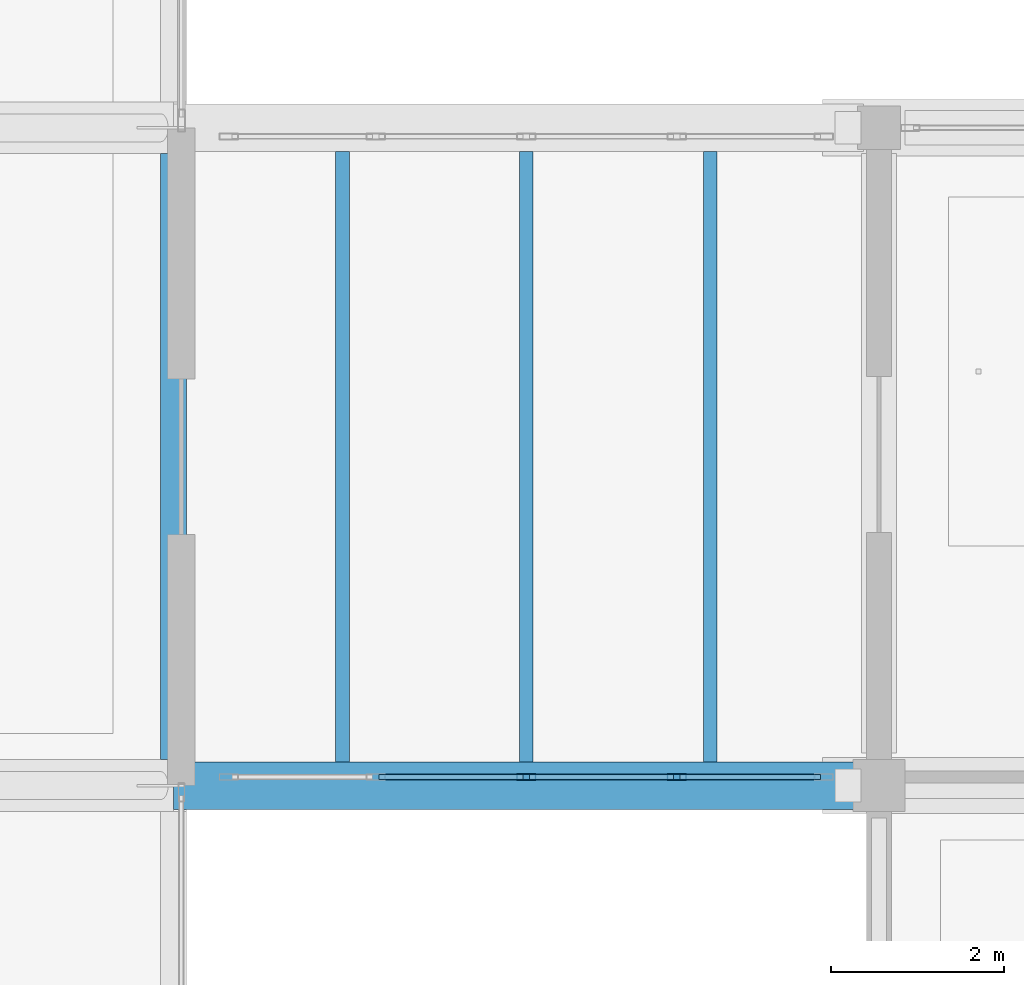
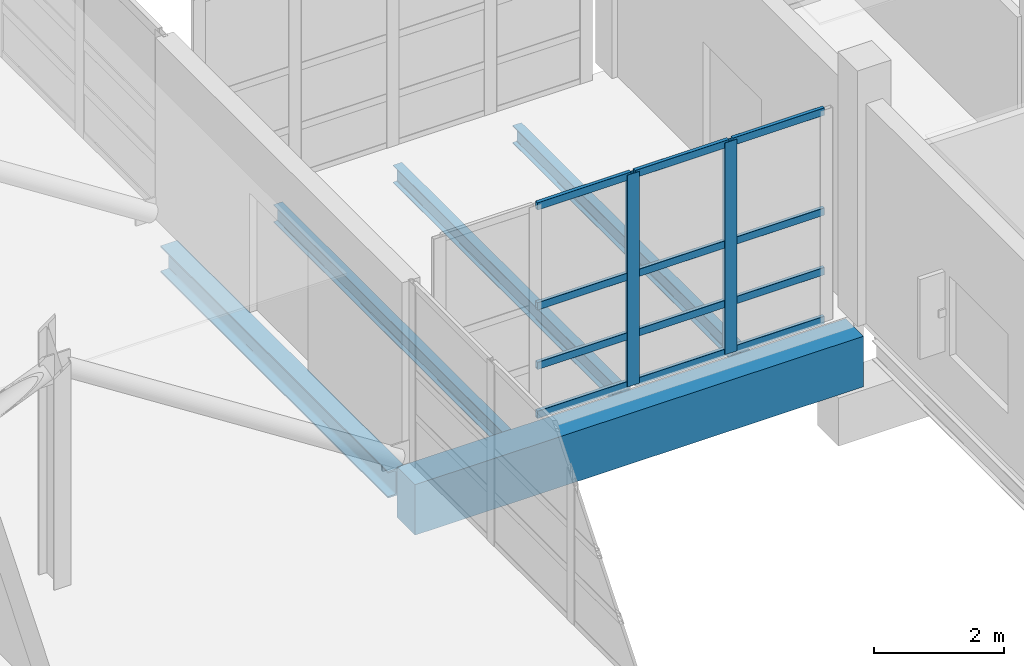
# One storey, part 14 of 141: 14 members, 5 beams, 1 element without a shape of its own.
"""IFC4 building model written with IfcOpenShell, lengths in metres."""

import ifcopenshell
import ifcopenshell.guid

model = None  # the IFC model being written
_history = None  # IfcOwnerHistory: only IFC2X3 demands one
_inside = {}  # id of a spatial element -> (the spatial element, [elements in it])
_under = {}  # id of a project, library or spatial element -> (it, [spatial elements below it])
_declared = {}  # id of a project -> (the project, [libraries it declares])
_typed = {}  # id of a type object -> (the type object, [elements of that type])
_made_of = {}  # id of a material, layer set ... -> (it, [elements and type objects made of it])


def new_model(schema):
    """Start an empty IFC model of exactly this schema.

    Asked for "IFC4X3", IfcOpenShell would pick the latest addendum, in which some entities
    have other attributes; the version numbers below select the first issue.
    IFC2X3 requires an IfcOwnerHistory on every rooted entity: one is made here for all.
    """
    global model, _history
    if schema == "IFC4X3":
        model = ifcopenshell.file(schema_version=(4, 3, 0, 0))
    else:
        model = ifcopenshell.file(schema=schema)
    _inside.clear()
    _under.clear()
    _declared.clear()
    _typed.clear()
    _made_of.clear()
    _history = None
    if model.schema == "IFC2X3":
        org = make("IfcOrganization", Name="unknown")
        user = make(
            "IfcPersonAndOrganization",
            ThePerson=make("IfcPerson", FamilyName="unknown"),
            TheOrganization=org,
        )
        app = make(
            "IfcApplication",
            ApplicationDeveloper=org,
            Version="unknown",
            ApplicationFullName="unknown",
            ApplicationIdentifier="unknown",
        )
        _history = make(
            "IfcOwnerHistory",
            OwningUser=user,
            OwningApplication=app,
            ChangeAction="ADDED",
            CreationDate=0,
        )
    return model


def make(cls, **values):
    """One entity of the class cls with the attributes given. An attribute that is None is left unset."""
    return model.create_entity(
        cls, **{name: value for name, value in values.items() if value is not None}
    )


def rooted(cls, **values):
    """An entity with a GlobalId (a new one), such as an element, a storey or a relation."""
    return make(cls, GlobalId=ifcopenshell.guid.new(), OwnerHistory=_history, **values)


def si_unit(unit_type, name, prefix=None):
    """IfcSIUnit, for example si_unit("LENGTHUNIT", "METRE", prefix="MILLI")."""
    return make("IfcSIUnit", UnitType=unit_type, Prefix=prefix, Name=name)


def assignment(units):
    """IfcUnitAssignment: the units of a project."""
    return None if units is None else make("IfcUnitAssignment", Units=units)


def point(xyz):
    """IfcCartesianPoint."""
    return None if xyz is None else make("IfcCartesianPoint", Coordinates=xyz)


def direction(xyz):
    """IfcDirection."""
    return None if xyz is None else make("IfcDirection", DirectionRatios=xyz)


def frame(location, z_axis=None, x_axis=None):
    """IfcAxis2Placement3D, a coordinate frame: its origin and axes. An axis left out is left unset."""
    return make(
        "IfcAxis2Placement3D",
        Location=point(location),
        Axis=direction(z_axis),
        RefDirection=direction(x_axis),
    )


def frame_2d(location, x_axis=None):
    """IfcAxis2Placement2D, a coordinate frame in the plane: its origin and x axis."""
    return make(
        "IfcAxis2Placement2D", Location=point(location), RefDirection=direction(x_axis)
    )


def origin():
    """The frame at (0, 0, 0) with its axes left unset."""
    return frame((0.0, 0.0, 0.0))


def origin_2d():
    """The frame at (0, 0) in the plane with its x axis left unset."""
    return frame_2d((0.0, 0.0))


def place(relative_to, where):
    """IfcLocalPlacement: puts the frame where relative to a parent placement (None: the world)."""
    return make(
        "IfcLocalPlacement", PlacementRelTo=relative_to, RelativePlacement=where
    )


def context(
    kind, dimensions, precision=None, world=None, true_north=None, identifier=None
):
    """IfcGeometricRepresentationContext, for example the 3D "Model" context."""
    return make(
        "IfcGeometricRepresentationContext",
        ContextIdentifier=identifier,
        ContextType=kind,
        CoordinateSpaceDimension=dimensions,
        Precision=precision,
        WorldCoordinateSystem=world,
        TrueNorth=true_north,
    )


def subcontext(parent, identifier, kind, view, scale=None):
    """IfcGeometricRepresentationSubContext, for example "Body" below "Model"."""
    return make(
        "IfcGeometricRepresentationSubContext",
        ContextIdentifier=identifier,
        ContextType=kind,
        ParentContext=parent,
        TargetScale=scale,
        TargetView=view,
    )


def project(units=None, contexts=None):
    """IfcProject with its units and contexts."""
    return rooted(
        "IfcProject",
        Name="project",
        RepresentationContexts=contexts,
        UnitsInContext=assignment(units),
    )


def spatial(cls, under=None, at=None, **own):
    """A site, building, storey or space (cls), placed at a placement, below another one or the project."""
    s = rooted(cls, ObjectPlacement=at, **own)
    if under is not None:
        _under.setdefault(under.id(), (under, []))[1].append(s)
    return s


def profile(cls, at=None, kind="AREA", **sizes):
    """A parametric profile (cls). Its sizes go by their IFC names, for example OverallWidth=200.0."""
    return make(cls, ProfileType=kind, Position=at, **sizes)


def rectangle(**sizes):
    """IfcRectangleProfileDef."""
    return profile("IfcRectangleProfileDef", **sizes)


def hollow_rectangle(**sizes):
    """IfcRectangleHollowProfileDef."""
    return profile("IfcRectangleHollowProfileDef", **sizes)


def i_section(**sizes):
    """IfcIShapeProfileDef."""
    return profile("IfcIShapeProfileDef", **sizes)


def extrude(swept, where, along, depth):
    """IfcExtrudedAreaSolid: the profile swept, set in the frame where, extruded along a direction by depth."""
    return make(
        "IfcExtrudedAreaSolid",
        SweptArea=swept,
        Position=where,
        ExtrudedDirection=direction(along),
        Depth=depth,
    )


def shape(context_of_items, identifier, shape_type, items):
    """IfcShapeRepresentation: the items that make up one representation, for example the "Body"."""
    return make(
        "IfcShapeRepresentation",
        ContextOfItems=context_of_items,
        RepresentationIdentifier=identifier,
        RepresentationType=shape_type,
        Items=items,
    )


def material(Name=None, Category=None):
    """IfcMaterial."""
    return make("IfcMaterial", Name=Name, Category=Category)


def material_profile(
    of_material, cross_section, Name=None, Category=None, Priority=None
):
    """IfcMaterialProfile: a cross section and its material."""
    return make(
        "IfcMaterialProfile",
        Name=Name,
        Material=of_material,
        Profile=cross_section,
        Priority=Priority,
        Category=Category,
    )


def profile_set(profiles, Name=None, composite=None):
    """IfcMaterialProfileSet."""
    return make(
        "IfcMaterialProfileSet",
        Name=Name,
        MaterialProfiles=profiles,
        CompositeProfile=composite,
    )


def made_of(thing, what):
    """Note that an element or type object is made of a material, layer set ...; save() writes the relation."""
    if what is not None:
        _made_of.setdefault(what.id(), (what, []))[1].append(thing)
    return thing


def type_object(cls, material=None, **own):
    """A type object (cls), such as IfcWallType, which elements share."""
    return made_of(rooted(cls, **own), material)


def element(
    cls,
    number,
    at=None,
    inside=None,
    cuts=None,
    type_object=None,
    material=None,
    context=None,
    identifier="Body",
    shape_type=None,
    held_by="IfcProductDefinitionShape",
    body=None,
    shapes=None,
    **own,
):
    """One element of the class cls, such as IfcWall. Its Tag is "e" and its number.

    at: its placement. inside: the storey or other place that contains it. cuts: it is an
    opening in that element (IfcRelVoidsElement). A single representation is given by context,
    identifier, shape_type and body (its items); several are given by shapes. held_by: the class
    of the entity that holds the representations. save() writes the other relations.
    """
    e = rooted(cls, Tag="e%d" % number, ObjectPlacement=at, **own)
    if body is not None:
        shapes = [shape(context, identifier, shape_type, body)]
    if shapes is not None:
        e.Representation = make(held_by, Representations=shapes)
    if inside is not None:
        _inside.setdefault(inside.id(), (inside, []))[1].append(e)
    if cuts is not None:
        rooted(
            "IfcRelVoidsElement", RelatingBuildingElement=cuts, RelatedOpeningElement=e
        )
    if type_object is not None:
        _typed.setdefault(type_object.id(), (type_object, []))[1].append(e)
    return made_of(e, material)


def aggregate(whole, parts):
    """IfcRelAggregates: a whole, such as a stair, and the parts it consists of."""
    return rooted("IfcRelAggregates", RelatingObject=whole, RelatedObjects=parts)


def save(model, path):
    """Write the relations noted so far, then the file.

    IfcRelAggregates (storeys below a building ...), IfcRelContainedInSpatialStructure (elements
    in a storey), IfcRelDefinesByType, IfcRelAssociatesMaterial and IfcRelDeclares: one each for
    every whole, place, type object, material and project.
    """
    for whole, parts in _under.values():
        aggregate(whole, parts)
    for where, things in _inside.values():
        rooted(
            "IfcRelContainedInSpatialStructure",
            RelatedElements=things,
            RelatingStructure=where,
        )
    for kind, things in _typed.values():
        rooted("IfcRelDefinesByType", RelatedObjects=things, RelatingType=kind)
    for what, things in _made_of.values():
        rooted("IfcRelAssociatesMaterial", RelatedObjects=things, RelatingMaterial=what)
    for by, libraries in _declared.values():
        rooted("IfcRelDeclares", RelatingContext=by, RelatedDefinitions=libraries)
    model.write(path)


model = new_model("IFC4")

# Units and contexts
model_context = context("Model", 3, precision=1e-05, world=origin(), true_north=direction((0.0, 1.0)))
body_context = subcontext(model_context, "Body", "Model", "MODEL_VIEW")
ifc_project = project(units=[si_unit("LENGTHUNIT", "METRE"), si_unit("AREAUNIT", "SQUARE_METRE"), si_unit("VOLUMEUNIT", "CUBIC_METRE"), si_unit("PLANEANGLEUNIT", "RADIAN"), si_unit("MASSUNIT", "GRAM", prefix="KILO")], contexts=[model_context])

# Site, building, storey
site_placement = place(None, origin())
site = spatial("IfcSite", under=ifc_project, at=site_placement, CompositionType="ELEMENT")
building_placement = place(site_placement, origin())
building = spatial("IfcBuilding", under=site, at=building_placement, Name="Khelvaren Railside Concert Hall", CompositionType="ELEMENT")
storey_placement = place(building_placement, frame((0.0, 0.0, 10.199951171875)))
storey = spatial("IfcBuildingStorey", under=building, at=storey_placement, Name="L02", CompositionType="ELEMENT", Elevation=10.199951171875)

# Curtain wall, members
ifc_material_1 = material(Name="Double-glazed clear foyer glass", Category="glass")
curtain_wall_type = type_object("IfcCurtainWallType", Name="CW47", PredefinedType="USERDEFINED", material=ifc_material_1)
curtain_wall_placement = place(storey_placement, origin())
curtain_wall = element("IfcCurtainWall", 1, at=curtain_wall_placement, inside=storey, type_object=curtain_wall_type, Name="Unitised Curtain Wall CW-LB1-L02-S", ObjectType="UNITISED CURTAIN WALL", PredefinedType="USERDEFINED")
ifc_material_2 = material(Name="Anodised architectural aluminium 6063-T6", Category="aluminium")
ifc_material_profile_1 = material_profile(ifc_material_2, hollow_rectangle(XDim=0.074951171875, YDim=0.219970703125, WallThickness=0.0048828125, InnerFilletRadius=0.0029296875, OuterFilletRadius=0.0048828125, at=origin_2d()), Name="CWM 75x220x5")
ifc_profile_set_1 = profile_set([ifc_material_profile_1], Name="Anodised architectural aluminium 6063-T6")
member_type_1 = type_object("IfcMemberType", Name="CWM13", PredefinedType="MULLION", material=ifc_profile_set_1)
member_1_placement = place(storey_placement, frame((61.66259765625, 7.699951171875, 0.0), z_axis=(0.0, 0.0, 1.0), x_axis=(0.0, -1.0, 0.0)))
member_1 = element("IfcMember", 2, at=member_1_placement, type_object=member_type_1, Name="CW47 mullion 2", PredefinedType="MULLION", context=body_context, shape_type="SweptSolid", body=[
    extrude(hollow_rectangle(XDim=0.074951171875, YDim=0.219970703125, WallThickness=0.0048828125, InnerFilletRadius=0.0029296875, OuterFilletRadius=0.0048828125, at=origin_2d()), origin(), (0.0, 0.0, 1.0), 3.97998046875),
])
member_2_placement = place(storey_placement, frame((59.925048828125, 7.699951171875, 0.0), z_axis=(0.0, 0.0, 1.0), x_axis=(0.0, -1.0, 0.0)))
member_2 = element("IfcMember", 3, at=member_2_placement, type_object=member_type_1, Name="CW47 mullion 3", PredefinedType="MULLION", context=body_context, shape_type="SweptSolid", body=[
    extrude(hollow_rectangle(XDim=0.074951171875, YDim=0.219970703125, WallThickness=0.0048828125, InnerFilletRadius=0.0029296875, OuterFilletRadius=0.0048828125, at=origin_2d()), origin(), (0.0, 0.0, 1.0), 3.97998046875),
])
ifc_material_profile_2 = material_profile(ifc_material_2, hollow_rectangle(XDim=0.06494140625, YDim=0.139892578125, WallThickness=0.00390625, InnerFilletRadius=0.001953125, OuterFilletRadius=0.00390625, at=origin_2d()), Name="CWT 65x140x4")
ifc_profile_set_2 = profile_set([ifc_material_profile_2], Name="Anodised architectural aluminium 6063-T6")
member_type_2 = type_object("IfcMemberType", Name="CWT72", PredefinedType="USERDEFINED", material=ifc_profile_set_2)
member_3_placement = place(storey_placement, frame((63.324951171875, 7.699951171875, 0.032470703125), z_axis=(-1.0, 0.0, 0.0), x_axis=(0.0, -1.0, 0.0)))
member_3 = element("IfcMember", 4, at=member_3_placement, type_object=member_type_2, Name="CW47 transom 1.1", ObjectType="TRANSOM", PredefinedType="USERDEFINED", context=body_context, shape_type="SweptSolid", body=[
    extrude(hollow_rectangle(XDim=0.06494140625, YDim=0.139892578125, WallThickness=0.00390625, InnerFilletRadius=0.001953125, OuterFilletRadius=0.00390625, at=origin_2d()), origin(), (0.0, 0.0, 1.0), 1.625),
])
member_4_placement = place(storey_placement, frame((63.324951171875, 7.699951171875, 0.949951171875), z_axis=(-1.0, 0.0, 0.0), x_axis=(0.0, -1.0, 0.0)))
member_4 = element("IfcMember", 5, at=member_4_placement, type_object=member_type_2, Name="CW47 transom 1.2", ObjectType="TRANSOM", PredefinedType="USERDEFINED", context=body_context, shape_type="SweptSolid", body=[
    extrude(hollow_rectangle(XDim=0.06494140625, YDim=0.139892578125, WallThickness=0.00390625, InnerFilletRadius=0.001953125, OuterFilletRadius=0.00390625, at=origin_2d()), origin(), (0.0, 0.0, 1.0), 1.625),
])
member_5_placement = place(storey_placement, frame((63.324951171875, 7.699951171875, 2.069580078125), z_axis=(-1.0, 0.0, 0.0), x_axis=(0.0, -1.0, 0.0)))
member_5 = element("IfcMember", 6, at=member_5_placement, type_object=member_type_2, Name="CW47 transom 1.3", ObjectType="TRANSOM", PredefinedType="USERDEFINED", context=body_context, shape_type="SweptSolid", body=[
    extrude(hollow_rectangle(XDim=0.06494140625, YDim=0.139892578125, WallThickness=0.00390625, InnerFilletRadius=0.001953125, OuterFilletRadius=0.00390625, at=origin_2d()), origin(), (0.0, 0.0, 1.0), 1.625),
])
member_6_placement = place(storey_placement, frame((63.324951171875, 7.699951171875, 3.947509765625), z_axis=(-1.0, 0.0, 0.0), x_axis=(0.0, -1.0, 0.0)))
member_6 = element("IfcMember", 7, at=member_6_placement, type_object=member_type_2, Name="CW47 transom 1.4", ObjectType="TRANSOM", PredefinedType="USERDEFINED", context=body_context, shape_type="SweptSolid", body=[
    extrude(hollow_rectangle(XDim=0.06494140625, YDim=0.139892578125, WallThickness=0.00390625, InnerFilletRadius=0.001953125, OuterFilletRadius=0.00390625, at=origin_2d()), origin(), (0.0, 0.0, 1.0), 1.625),
])
member_7_placement = place(storey_placement, frame((61.625, 7.699951171875, 0.032470703125), z_axis=(-1.0, 0.0, 0.0), x_axis=(0.0, -1.0, 0.0)))
member_7 = element("IfcMember", 8, at=member_7_placement, type_object=member_type_2, Name="CW47 transom 2.1", ObjectType="TRANSOM", PredefinedType="USERDEFINED", context=body_context, shape_type="SweptSolid", body=[
    extrude(hollow_rectangle(XDim=0.06494140625, YDim=0.139892578125, WallThickness=0.00390625, InnerFilletRadius=0.001953125, OuterFilletRadius=0.00390625, at=origin_2d()), origin(), (0.0, 0.0, 1.0), 1.66259765625),
])
member_8_placement = place(storey_placement, frame((61.625, 7.699951171875, 0.949951171875), z_axis=(-1.0, 0.0, 0.0), x_axis=(0.0, -1.0, 0.0)))
member_8 = element("IfcMember", 9, at=member_8_placement, type_object=member_type_2, Name="CW47 transom 2.2", ObjectType="TRANSOM", PredefinedType="USERDEFINED", context=body_context, shape_type="SweptSolid", body=[
    extrude(hollow_rectangle(XDim=0.06494140625, YDim=0.139892578125, WallThickness=0.00390625, InnerFilletRadius=0.001953125, OuterFilletRadius=0.00390625, at=origin_2d()), origin(), (0.0, 0.0, 1.0), 1.66259765625),
])
member_9_placement = place(storey_placement, frame((61.625, 7.699951171875, 2.069580078125), z_axis=(-1.0, 0.0, 0.0), x_axis=(0.0, -1.0, 0.0)))
member_9 = element("IfcMember", 10, at=member_9_placement, type_object=member_type_2, Name="CW47 transom 2.3", ObjectType="TRANSOM", PredefinedType="USERDEFINED", context=body_context, shape_type="SweptSolid", body=[
    extrude(hollow_rectangle(XDim=0.06494140625, YDim=0.139892578125, WallThickness=0.00390625, InnerFilletRadius=0.001953125, OuterFilletRadius=0.00390625, at=origin_2d()), origin(), (0.0, 0.0, 1.0), 1.66259765625),
])
member_10_placement = place(storey_placement, frame((61.625, 7.699951171875, 3.947509765625), z_axis=(-1.0, 0.0, 0.0), x_axis=(0.0, -1.0, 0.0)))
member_10 = element("IfcMember", 11, at=member_10_placement, type_object=member_type_2, Name="CW47 transom 2.4", ObjectType="TRANSOM", PredefinedType="USERDEFINED", context=body_context, shape_type="SweptSolid", body=[
    extrude(hollow_rectangle(XDim=0.06494140625, YDim=0.139892578125, WallThickness=0.00390625, InnerFilletRadius=0.001953125, OuterFilletRadius=0.00390625, at=origin_2d()), origin(), (0.0, 0.0, 1.0), 1.66259765625),
])
member_11_placement = place(storey_placement, frame((59.887451171875, 7.699951171875, 0.032470703125), z_axis=(-1.0, 0.0, 0.0), x_axis=(0.0, -1.0, 0.0)))
member_11 = element("IfcMember", 12, at=member_11_placement, type_object=member_type_2, Name="CW47 transom 3.1", ObjectType="TRANSOM", PredefinedType="USERDEFINED", context=body_context, shape_type="SweptSolid", body=[
    extrude(hollow_rectangle(XDim=0.06494140625, YDim=0.139892578125, WallThickness=0.00390625, InnerFilletRadius=0.001953125, OuterFilletRadius=0.00390625, at=origin_2d()), origin(), (0.0, 0.0, 1.0), 1.662353515625),
])
member_12_placement = place(storey_placement, frame((59.887451171875, 7.699951171875, 0.949951171875), z_axis=(-1.0, 0.0, 0.0), x_axis=(0.0, -1.0, 0.0)))
member_12 = element("IfcMember", 13, at=member_12_placement, type_object=member_type_2, Name="CW47 transom 3.2", ObjectType="TRANSOM", PredefinedType="USERDEFINED", context=body_context, shape_type="SweptSolid", body=[
    extrude(hollow_rectangle(XDim=0.06494140625, YDim=0.139892578125, WallThickness=0.00390625, InnerFilletRadius=0.001953125, OuterFilletRadius=0.00390625, at=origin_2d()), origin(), (0.0, 0.0, 1.0), 1.662353515625),
])
member_13_placement = place(storey_placement, frame((59.887451171875, 7.699951171875, 2.069580078125), z_axis=(-1.0, 0.0, 0.0), x_axis=(0.0, -1.0, 0.0)))
member_13 = element("IfcMember", 14, at=member_13_placement, type_object=member_type_2, Name="CW47 transom 3.3", ObjectType="TRANSOM", PredefinedType="USERDEFINED", context=body_context, shape_type="SweptSolid", body=[
    extrude(hollow_rectangle(XDim=0.06494140625, YDim=0.139892578125, WallThickness=0.00390625, InnerFilletRadius=0.001953125, OuterFilletRadius=0.00390625, at=origin_2d()), origin(), (0.0, 0.0, 1.0), 1.662353515625),
])
member_14_placement = place(storey_placement, frame((59.887451171875, 7.699951171875, 3.947509765625), z_axis=(-1.0, 0.0, 0.0), x_axis=(0.0, -1.0, 0.0)))
member_14 = element("IfcMember", 15, at=member_14_placement, type_object=member_type_2, Name="CW47 transom 3.4", ObjectType="TRANSOM", PredefinedType="USERDEFINED", context=body_context, shape_type="SweptSolid", body=[
    extrude(hollow_rectangle(XDim=0.06494140625, YDim=0.139892578125, WallThickness=0.00390625, InnerFilletRadius=0.001953125, OuterFilletRadius=0.00390625, at=origin_2d()), origin(), (0.0, 0.0, 1.0), 1.662353515625),
])
aggregate(curtain_wall, [member_1, member_2, member_3, member_4, member_5, member_6, member_7, member_8, member_9, member_10, member_11, member_12, member_13, member_14])

# Beams
ifc_material_3 = material(Name="Concrete C40/50", Category="concrete")
ifc_material_profile_3 = material_profile(ifc_material_3, rectangle(XDim=0.550048828125, YDim=0.949951171875, at=origin_2d()), Name="RCB 550x950")
ifc_profile_set_3 = profile_set([ifc_material_profile_3], Name="Concrete C40/50")
beam_type_1 = type_object("IfcBeamType", Name="GR75", PredefinedType="T_BEAM", material=ifc_profile_set_3)
beam_1_placement = place(storey_placement, frame((55.85009765625, 7.60009765625, -0.71484375), z_axis=(1.0, 0.0, 0.0), x_axis=(0.0, 1.0, 0.0)))
element("IfcBeam", 16, at=beam_1_placement, inside=storey, type_object=beam_type_1, Name="West Promenade Link Bridge L02 Bridge Girder 1", PredefinedType="T_BEAM", context=body_context, shape_type="SweptSolid", body=[
    extrude(rectangle(XDim=0.550048828125, YDim=0.949951171875, at=origin_2d()), origin(), (0.0, 0.0, 1.0), 7.969970703125),
])
ifc_material_4 = material(Name="Steel S355", Category="steel")
ifc_material_profile_4 = material_profile(ifc_material_4, i_section(OverallWidth=0.159912109375, OverallDepth=0.330078125, WebThickness=0.007568359375, FlangeThickness=0.011474609375, FilletRadius=0.01806640625, at=origin_2d()), Name="IPE 330")
ifc_profile_set_4 = profile_set([ifc_material_profile_4], Name="Steel S355")
beam_type_2 = type_object("IfcBeamType", Name="JS65", PredefinedType="JOIST", material=ifc_profile_set_4)
for number, where, z_axis, x_axis, name in (
    (17, (57.800048828125, 7.875, -0.405029296875), (0.0, 1.0, 0.0), (-1.0, 0.0, 0.0), "West Promenade Link Bridge L02 Bridge Cross Joist 1"),
    (18, (59.925048828125, 7.875, -0.405029296875), (0.0, 1.0, 0.0), (-1.0, 0.0, 0.0), "West Promenade Link Bridge L02 Bridge Cross Joist 2"),
    (19, (62.050048828125, 7.875, -0.405029296875), (0.0, 1.0, 0.0), (-1.0, 0.0, 0.0), "West Promenade Link Bridge L02 Bridge Cross Joist 3"),
):
    element("IfcBeam", number, at=place(storey_placement, frame(where, z_axis=z_axis, x_axis=x_axis)), inside=storey, type_object=beam_type_2, Name=name, PredefinedType="JOIST", context=body_context, shape_type="SweptSolid", body=[
        extrude(i_section(OverallWidth=0.159912109375, OverallDepth=0.330078125, WebThickness=0.007568359375, FlangeThickness=0.011474609375, FilletRadius=0.01806640625, at=origin_2d()), origin(), (0.0, 0.0, 1.0), 7.050048828125),
    ])
ifc_material_profile_5 = material_profile(ifc_material_4, i_section(OverallWidth=0.300048828125, OverallDepth=0.5, WebThickness=0.014404296875, FlangeThickness=0.028076171875, FilletRadius=0.027099609375, at=origin_2d()), Name="HEB 500")
ifc_profile_set_5 = profile_set([ifc_material_profile_5], Name="Steel S355")
beam_type_3 = type_object("IfcBeamType", Name="SP12", PredefinedType="SPANDREL", material=ifc_profile_set_5)
beam_2_placement = place(storey_placement, frame((55.85009765625, 7.89990234375, -0.5400390625), z_axis=(0.0, 1.0, 0.0), x_axis=(-1.0, 0.0, 0.0)))
element("IfcBeam", 20, at=beam_2_placement, inside=storey, type_object=beam_type_3, Name="V1 L02 Cantilever Tip Spandrel Y2", PredefinedType="SPANDREL", context=body_context, shape_type="SweptSolid", body=[
    extrude(i_section(OverallWidth=0.300048828125, OverallDepth=0.5, WebThickness=0.014404296875, FlangeThickness=0.028076171875, FilletRadius=0.027099609375, at=origin_2d()), origin(), (0.0, 0.0, 1.0), 7.0),
])

save(model, "model.ifc")
